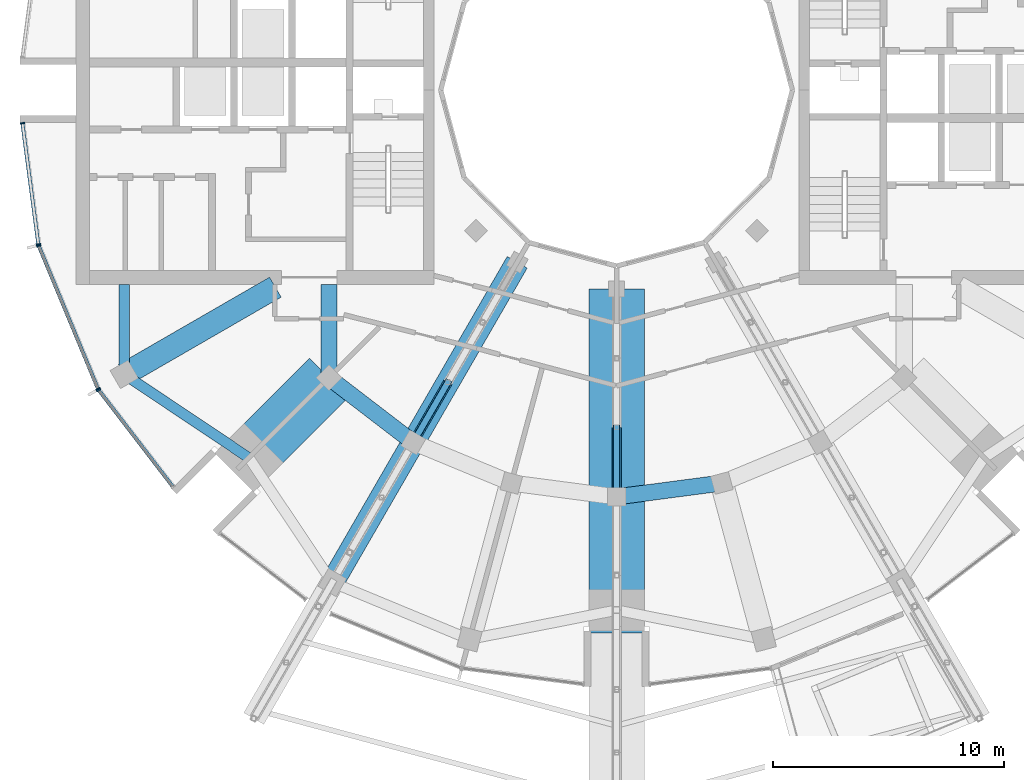
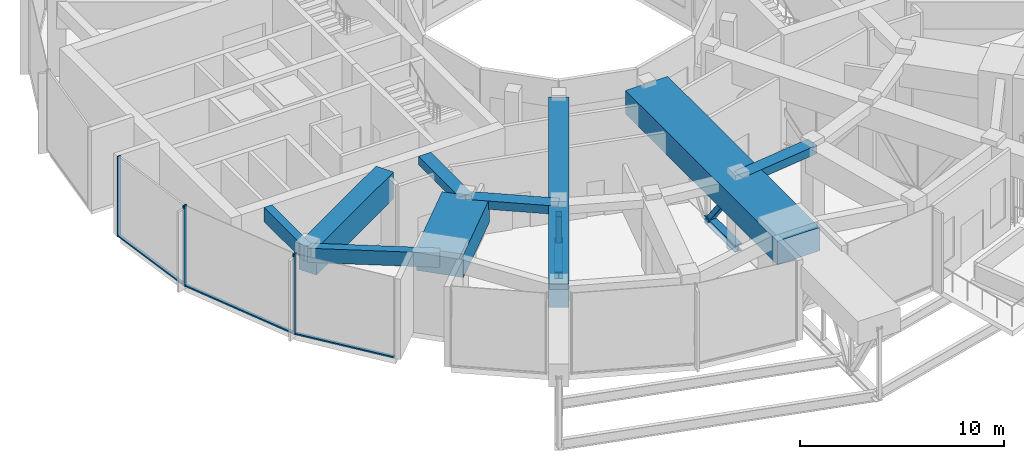
# One storey, part 3 of 17: 12 members, 9 beams, 3 elements without a shape of their own.
"""IFC4 building model written with IfcOpenShell, lengths in metres."""

from ifc_helpers import new_model, si_unit, direction, frame, origin, origin_2d, place, context, subcontext, project, spatial, rectangle, hollow_rectangle, i_section, extrude, material, layer, layer_set, material_profile, profile_set, type_object, element, aggregate, save


model = new_model("IFC4")

# Units and contexts
model_context = context("Model", 3, precision=1e-05, world=origin(), true_north=direction((0.0, 1.0)))
body_context = subcontext(model_context, "Body", "Model", "MODEL_VIEW")
ifc_project = project(units=[si_unit("LENGTHUNIT", "METRE"), si_unit("AREAUNIT", "SQUARE_METRE"), si_unit("VOLUMEUNIT", "CUBIC_METRE"), si_unit("PLANEANGLEUNIT", "RADIAN"), si_unit("MASSUNIT", "GRAM", prefix="KILO")], contexts=[model_context])

# Site, building, storey
site_placement = place(None, origin())
site = spatial("IfcSite", under=ifc_project, at=site_placement, CompositionType="ELEMENT")
building_placement = place(site_placement, origin())
building = spatial("IfcBuilding", under=site, at=building_placement, Name="Torre Brocal", CompositionType="ELEMENT")
storey_placement = place(building_placement, frame((0.0, 0.0, 270.89990234375)))
storey = spatial("IfcBuildingStorey", under=building, at=storey_placement, Name="L62", CompositionType="ELEMENT", Elevation=270.89990234375)

# Curtain wall, members
ifc_material_1 = material(Name="Aluminium and glass", Category="aluminium")
ifc_layer_1 = layer(ifc_material_1, 0.199951171875)
ifc_layer_set_1 = layer_set([ifc_layer_1], Name="Aluminium and glass")
curtain_wall_type_1 = type_object("IfcCurtainWallType", Name="CW-1 CURTAIN WALL 4800 HIGH", PredefinedType="NOTDEFINED", material=ifc_layer_set_1)
curtain_wall_1_placement = place(storey_placement, origin())
curtain_wall_1 = element("IfcCurtainWall", 1, at=curtain_wall_1_placement, inside=storey, type_object=curtain_wall_type_1, Name="CW-1 RUN 14", PredefinedType="NOTDEFINED")
ifc_material_2 = material(Name="Aluminium, dark anodised", Category="aluminium")
ifc_material_profile_1 = material_profile(ifc_material_2, rectangle(XDim=0.199951171875, YDim=0.06005859375, at=origin_2d()), Name="CW-1 MULLION 60X200")
ifc_profile_set_1 = profile_set([ifc_material_profile_1], Name="Aluminium, dark anodised")
member_type_1 = type_object("IfcMemberType", Name="CW-1 MULLION 60X200", PredefinedType="MULLION", material=ifc_profile_set_1)
member_1_placement = place(storey_placement, frame((54.994873046875, 68.26904296875, 0.0), z_axis=(0.0, 0.0, 1.0), x_axis=(0.923879532525, 0.382683432333, 0.0)))
member_1 = element("IfcMember", 2, at=member_1_placement, type_object=member_type_1, Name="CW1-7 mullion 1", PredefinedType="MULLION", context=body_context, shape_type="SweptSolid", body=[
    extrude(rectangle(XDim=0.199951171875, YDim=0.06005859375, at=origin_2d()), origin(), (0.0, 0.0, 1.0), 4.800048828125),
])
member_2_placement = place(storey_placement, frame((57.559326171875, 62.078125, 0.0), z_axis=(0.0, 0.0, 1.0), x_axis=(0.923879532525, 0.382683432333, 0.0)))
member_2 = element("IfcMember", 3, at=member_2_placement, type_object=member_type_1, Name="CW1-7 mullion 2", PredefinedType="MULLION", context=body_context, shape_type="SweptSolid", body=[
    extrude(rectangle(XDim=0.199951171875, YDim=0.06005859375, at=origin_2d()), origin(), (0.0, 0.0, 1.0), 4.800048828125),
])

# Curtain wall, member
curtain_wall_2_placement = place(storey_placement, origin())
curtain_wall_2 = element("IfcCurtainWall", 4, at=curtain_wall_2_placement, inside=storey, type_object=curtain_wall_type_1, Name="CW-1 RUN 15", PredefinedType="NOTDEFINED")
member_3_placement = place(storey_placement, frame((57.5888671875, 62.026611328125, 0.0), z_axis=(0.0, 0.0, 1.0), x_axis=(0.793353340259, 0.60876142905, 0.0)))
member_3 = element("IfcMember", 5, at=member_3_placement, type_object=member_type_1, Name="CW1-7 mullion 1", PredefinedType="MULLION", context=body_context, shape_type="SweptSolid", body=[
    extrude(rectangle(XDim=0.199951171875, YDim=0.06005859375, at=origin_2d()), origin(), (0.0, 0.0, 1.0), 4.800048828125),
])

# Member
ifc_material_3 = material(Name="Aluminium, dark anodised", Category="aluminium")
ifc_material_profile_2 = material_profile(ifc_material_3, rectangle(XDim=0.159912109375, YDim=0.080078125, at=origin_2d()), Name="CW-1 TRANSOM 160X80")
ifc_profile_set_2 = profile_set([ifc_material_profile_2], Name="Aluminium, dark anodised")
member_type_2 = type_object("IfcMemberType", Name="CW-1 TRANSOM 160X80", PredefinedType="USERDEFINED", material=ifc_profile_set_2)
member_4_placement = place(storey_placement, frame((55.00634765625, 68.241455078125, 0.0400390625), z_axis=(0.38266457234, -0.923887344364, 0.0), x_axis=(0.923887344364, 0.38266457234, 0.0)))
member_4 = element("IfcMember", 6, at=member_4_placement, type_object=member_type_2, Name="CW1-7 transom 1.1", ObjectType="TRANSOM", PredefinedType="USERDEFINED", context=body_context, shape_type="SweptSolid", body=[
    extrude(rectangle(XDim=0.159912109375, YDim=0.080078125, at=origin_2d()), origin(), (0.0, 0.0, 1.0), 6.640869140625),
])

aggregate(curtain_wall_1, [member_1, member_2, member_4])

member_5_placement = place(storey_placement, frame((57.607177734375, 62.0029296875, 0.0400390625), z_axis=(0.60874908096, -0.79336281513, 0.0), x_axis=(0.79336281513, 0.60874908096, 0.0)))
member_5 = element("IfcMember", 7, at=member_5_placement, type_object=member_type_2, Name="CW1-7 transom 1.1", ObjectType="TRANSOM", PredefinedType="USERDEFINED", context=body_context, shape_type="SweptSolid", body=[
    extrude(rectangle(XDim=0.159912109375, YDim=0.080078125, at=origin_2d()), origin(), (0.0, 0.0, 1.0), 5.22900390625),
])

aggregate(curtain_wall_2, [member_3, member_5])

# Curtain wall, members
ifc_material_4 = material(Name="Aluminium and glass", Category="aluminium")
ifc_layer_2 = layer(ifc_material_4, 0.199951171875)
ifc_layer_set_2 = layer_set([ifc_layer_2], Name="Aluminium and glass")
curtain_wall_type_2 = type_object("IfcCurtainWallType", Name="CW-1B CURTAIN WALL 4800 HIGH", PredefinedType="NOTDEFINED", material=ifc_layer_set_2)
curtain_wall_3_placement = place(storey_placement, origin())
curtain_wall_3 = element("IfcCurtainWall", 8, at=curtain_wall_3_placement, inside=storey, type_object=curtain_wall_type_2, Name="CW-1B RUN 13", PredefinedType="NOTDEFINED")
ifc_material_5 = material(Name="Aluminium, dark anodised", Category="aluminium")
ifc_material_profile_3 = material_profile(ifc_material_5, rectangle(XDim=0.199951171875, YDim=0.06005859375, at=origin_2d()), Name="CW-1B MULLION 60X200")
ifc_profile_set_3 = profile_set([ifc_material_profile_3], Name="Aluminium, dark anodised")
member_type_3 = type_object("IfcMemberType", Name="CW-1B MULLION 60X200", PredefinedType="MULLION", material=ifc_profile_set_3)
member_6_placement = place(storey_placement, frame((54.2890625, 73.5703125, 0.0), z_axis=(0.0, 0.0, 1.0), x_axis=(0.991444861374, 0.13052619222, 0.0)))
member_6 = element("IfcMember", 9, at=member_6_placement, type_object=member_type_3, Name="CW1B-6 mullion 1", PredefinedType="MULLION", context=body_context, shape_type="SweptSolid", body=[
    extrude(rectangle(XDim=0.199951171875, YDim=0.06005859375, at=origin_2d()), origin(), (0.0, 0.0, 1.0), 4.800048828125),
])
member_7_placement = place(storey_placement, frame((54.9794921875, 68.32666015625, 0.0), z_axis=(0.0, 0.0, 1.0), x_axis=(0.991444861374, 0.13052619222, 0.0)))
member_7 = element("IfcMember", 10, at=member_7_placement, type_object=member_type_3, Name="CW1B-6 mullion 2", PredefinedType="MULLION", context=body_context, shape_type="SweptSolid", body=[
    extrude(rectangle(XDim=0.199951171875, YDim=0.06005859375, at=origin_2d()), origin(), (0.0, 0.0, 1.0), 4.800048828125),
])
ifc_material_6 = material(Name="Aluminium, dark anodised", Category="aluminium")
ifc_material_profile_4 = material_profile(ifc_material_6, rectangle(XDim=0.159912109375, YDim=0.080078125, at=origin_2d()), Name="CW-1B TRANSOM 160X80")
ifc_profile_set_4 = profile_set([ifc_material_profile_4], Name="Aluminium, dark anodised")
member_type_4 = type_object("IfcMemberType", Name="CW-1B TRANSOM 160X80", PredefinedType="USERDEFINED", material=ifc_profile_set_4)
member_8_placement = place(storey_placement, frame((54.29296875, 73.54052734375, 0.0400390625), z_axis=(0.130542677827, -0.991442690863, 0.0), x_axis=(0.991442690863, 0.130542677827, 0.0)))
member_8 = element("IfcMember", 11, at=member_8_placement, type_object=member_type_4, Name="CW1B-6 transom 1.1", ObjectType="TRANSOM", PredefinedType="USERDEFINED", context=body_context, shape_type="SweptSolid", body=[
    extrude(rectangle(XDim=0.159912109375, YDim=0.080078125, at=origin_2d()), origin(), (0.0, 0.0, 1.0), 5.22900390625),
])
aggregate(curtain_wall_3, [member_6, member_7, member_8])

# Members
ifc_material_7 = material(Name="Steel A992", Category="steel")
ifc_material_profile_5 = material_profile(ifc_material_7, i_section(OverallWidth=0.406494140625, OverallDepth=0.41650390625, WebThickness=0.030029296875, FlangeThickness=0.048095703125, at=origin_2d()), Name="W14X257")
ifc_profile_set_5 = profile_set([ifc_material_profile_5], Name="Steel A992")
member_type_5 = type_object("IfcMemberType", Name="POOL TRUSS BOTTOM CHORD W14X257", PredefinedType="CHORD", material=ifc_profile_set_5)
member_9_placement = place(storey_placement, frame((72.699951171875, 62.35595703125, 0.091796875), z_axis=(-0.50002537861, -0.866010750942, 0.0), x_axis=(0.866010750942, -0.50002537861, 0.0)))
element("IfcMember", 12, at=member_9_placement, inside=storey, type_object=member_type_5, Name="Member CT-C03", PredefinedType="CHORD", context=body_context, shape_type="SweptSolid", body=[
    extrude(i_section(OverallWidth=0.406494140625, OverallDepth=0.41650390625, WebThickness=0.030029296875, FlangeThickness=0.048095703125, at=origin_2d()), origin(), (0.0, 0.0, 1.0), 2.999755859375),
])
member_10_placement = place(storey_placement, frame((80.0, 60.39990234375, 0.091796875), z_axis=(0.0, -1.0, 0.0), x_axis=(1.0, 0.0, 0.0)))
element("IfcMember", 13, at=member_10_placement, inside=storey, type_object=member_type_5, Name="Member CT-C12", PredefinedType="CHORD", context=body_context, shape_type="SweptSolid", body=[
    extrude(i_section(OverallWidth=0.406494140625, OverallDepth=0.41650390625, WebThickness=0.030029296875, FlangeThickness=0.048095703125, at=origin_2d()), origin(), (0.0, 0.0, 1.0), 3.0),
])
ifc_material_8 = material(Name="Steel A500 Grade C", Category="steel")
ifc_material_profile_6 = material_profile(ifc_material_8, hollow_rectangle(XDim=0.3046875, YDim=0.3046875, WallThickness=0.014892578125, InnerFilletRadius=0.014892578125, OuterFilletRadius=0.029541015625, at=origin_2d()), Name="HSS12X12X5/8")
ifc_profile_set_6 = profile_set([ifc_material_profile_6], Name="Steel A500 Grade C")
member_type_6 = type_object("IfcMemberType", Name="POOL TRUSS DIAGONAL HSS12X12X5/8", PredefinedType="BRACE", material=ifc_profile_set_6)
for number, where, z_axis, x_axis, name in (
    (14, (72.699951171875, 62.35595703125, -0.116455078125), (-0.305033860917, -0.528298390954, 0.792373115274), (0.866010750942, -0.50002537861, 0.0), "Member CT-D03"),
    (15, (80.0, 60.39990234375, -0.116455078125), (0.0, -0.610056198277, 0.792358148153), (1.0, 0.0, 0.0), "Member CT-D12"),
):
    element("IfcMember", number, at=place(storey_placement, frame(where, z_axis=z_axis, x_axis=x_axis)), inside=storey, type_object=member_type_6, Name=name, PredefinedType="BRACE", context=body_context, shape_type="SweptSolid", body=[
        extrude(hollow_rectangle(XDim=0.3046875, YDim=0.3046875, WallThickness=0.014892578125, InnerFilletRadius=0.014892578125, OuterFilletRadius=0.029541015625, at=origin_2d()), origin(), (0.0, 0.0, 1.0), 4.91748046875),
    ])

# Beams
ifc_material_9 = material(Name="Concrete C50", Category="concrete")
ifc_material_profile_7 = material_profile(ifc_material_9, rectangle(XDim=0.699951171875, YDim=0.5, at=origin_2d()), Name="RC 700X500")
ifc_profile_set_7 = profile_set([ifc_material_profile_7], Name="Concrete C50")
beam_type_1 = type_object("IfcBeamType", Name="RC BEAM 700X500 C50 TOP 4480", PredefinedType="BEAM", material=ifc_profile_set_7)
beam_1_placement = place(storey_placement, frame((67.554931640625, 62.554931640625, 4.22998046875), z_axis=(0.0, 1.0, 0.0), x_axis=(-1.0, 0.0, 0.0)))
element("IfcBeam", 16, at=beam_1_placement, inside=storey, type_object=beam_type_1, Name="Beam BT-45", PredefinedType="BEAM", context=body_context, shape_type="SweptSolid", body=[
    extrude(rectangle(XDim=0.699951171875, YDim=0.5, at=origin_2d()), origin(), (0.0, 0.0, 1.0), 4.045166015625),
])
for number, where, z_axis, x_axis, name in (
    (17, (67.554931640625, 62.554931640625, 4.22998046875), (0.793358265959, -0.6087550097, 0.0), (0.6087550097, 0.793358265959, 0.0), "Beam BT-45"),
    (18, (80.0, 57.39990234375, 4.22998046875), (0.991440544449, 0.130558978332, 0.0), (-0.130558978332, 0.991440544449, 0.0), "Beam BT-45"),
):
    element("IfcBeam", number, at=place(storey_placement, frame(where, z_axis=z_axis, x_axis=x_axis)), inside=storey, type_object=beam_type_1, Name=name, PredefinedType="BEAM", context=body_context, shape_type="SweptSolid", body=[
        extrude(rectangle(XDim=0.699951171875, YDim=0.5, at=origin_2d()), origin(), (0.0, 0.0, 1.0), 4.594482421875),
    ])
ifc_material_10 = material(Name="Concrete C50", Category="concrete")
ifc_material_profile_8 = material_profile(ifc_material_10, rectangle(XDim=0.449951171875, YDim=0.85009765625, at=origin_2d()), Name="RC 450X850")
ifc_profile_set_8 = profile_set([ifc_material_profile_8], Name="Concrete C50")
beam_type_2 = type_object("IfcBeamType", Name="RC SPANDREL BEAM 450X850 C50 TOP 4480", PredefinedType="SPANDREL", material=ifc_profile_set_8)
beam_2_placement = place(storey_placement, frame((58.69580078125, 62.699951171875, 4.05517578125), z_axis=(0.0, 1.0, 0.0), x_axis=(-1.0, 0.0, 0.0)))
element("IfcBeam", 19, at=beam_2_placement, inside=storey, type_object=beam_type_2, Name="Beam BT-46", PredefinedType="SPANDREL", context=body_context, shape_type="SweptSolid", body=[
    extrude(rectangle(XDim=0.449951171875, YDim=0.85009765625, at=origin_2d()), origin(), (0.0, 0.0, 1.0), 3.900146484375),
])
beam_3_placement = place(storey_placement, frame((58.69580078125, 62.699951171875, 4.05517578125), z_axis=(0.831076844476, -0.556157602282, 0.0), x_axis=(0.556157602282, 0.831076844476, 0.0)))
element("IfcBeam", 20, at=beam_3_placement, inside=storey, type_object=beam_type_2, Name="Beam BT-46", PredefinedType="SPANDREL", context=body_context, shape_type="SweptSolid", body=[
    extrude(rectangle(XDim=0.449951171875, YDim=0.85009765625, at=origin_2d()), origin(), (0.0, 0.0, 1.0), 6.49072265625),
])
ifc_material_11 = material(Name="Concrete C60", Category="concrete")
ifc_material_profile_9 = material_profile(ifc_material_11, rectangle(XDim=1.0, YDim=1.39990234375, at=origin_2d()), Name="RC 1000X1400")
ifc_profile_set_9 = profile_set([ifc_material_profile_9], Name="Concrete C60")
beam_type_3 = type_object("IfcBeamType", Name="RC TRANSFER GIRDER 1000X1400 C60 TOP 4480", PredefinedType="BEAM", material=ifc_profile_set_9)
beam_4_placement = place(storey_placement, frame((75.699951171875, 67.55224609375, 3.780029296875), z_axis=(-0.49999894854, -0.866026010844, 0.0), x_axis=(0.866026010844, -0.49999894854, 0.0)))
element("IfcBeam", 21, at=beam_4_placement, inside=storey, type_object=beam_type_3, Name="Beam TG-16", PredefinedType="BEAM", context=body_context, shape_type="SweptSolid", body=[
    extrude(rectangle(XDim=1.0, YDim=1.39990234375, at=origin_2d()), origin(), (0.0, 0.0, 1.0), 16.0),
])
ifc_material_12 = material(Name="Concrete C60", Category="concrete")
ifc_material_profile_10 = material_profile(ifc_material_12, rectangle(XDim=1.0, YDim=1.60009765625, at=origin_2d()), Name="RC 1000X1600")
ifc_profile_set_10 = profile_set([ifc_material_profile_10], Name="Concrete C60")
beam_type_4 = type_object("IfcBeamType", Name="RC TRANSFER GIRDER 1000X1600 C60 TOP 4480", PredefinedType="BEAM", material=ifc_profile_set_10)
beam_5_placement = place(storey_placement, frame((65.234375, 66.47509765625, 3.68017578125), z_axis=(-0.866019731711, -0.50000982419, 0.0), x_axis=(0.50000982419, -0.866019731711, 0.0)))
element("IfcBeam", 22, at=beam_5_placement, inside=storey, type_object=beam_type_4, Name="Beam TG-05", PredefinedType="BEAM", context=body_context, shape_type="SweptSolid", body=[
    extrude(rectangle(XDim=1.0, YDim=1.60009765625, at=origin_2d()), origin(), (0.0, 0.0, 1.0), 7.550048828125),
])
ifc_material_13 = material(Name="Concrete C60", Category="concrete")
ifc_material_profile_11 = material_profile(ifc_material_13, rectangle(XDim=2.39990234375, YDim=1.39990234375, at=origin_2d()), Name="RC 2400X1400")
ifc_profile_set_11 = profile_set([ifc_material_profile_11], Name="Concrete C60")
beam_type_5 = type_object("IfcBeamType", Name="RC TRANSFER GIRDER 2400X1400 C60 TOP 4480", PredefinedType="BEAM", material=ifc_profile_set_11)
beam_6_placement = place(storey_placement, frame((67.554931640625, 62.554931640625, 3.780029296875), z_axis=(-0.707106781187, -0.707106781187, 0.0), x_axis=(0.707106781187, -0.707106781187, 0.0)))
element("IfcBeam", 23, at=beam_6_placement, inside=storey, type_object=beam_type_5, Name="Beam TG-06", PredefinedType="BEAM", context=body_context, shape_type="SweptSolid", body=[
    extrude(rectangle(XDim=2.39990234375, YDim=1.39990234375, at=origin_2d()), origin(), (0.0, 0.0, 1.0), 4.900146484375),
])
beam_7_placement = place(storey_placement, frame((80.0, 66.39990234375, 3.780029296875), z_axis=(0.0, -1.0, 0.0), x_axis=(1.0, 0.0, 0.0)))
element("IfcBeam", 24, at=beam_7_placement, inside=storey, type_object=beam_type_5, Name="Beam TG-06", PredefinedType="BEAM", context=body_context, shape_type="SweptSolid", body=[
    extrude(rectangle(XDim=2.39990234375, YDim=1.39990234375, at=origin_2d()), origin(), (0.0, 0.0, 1.0), 14.89990234375),
])

save(model, "model.ifc")
